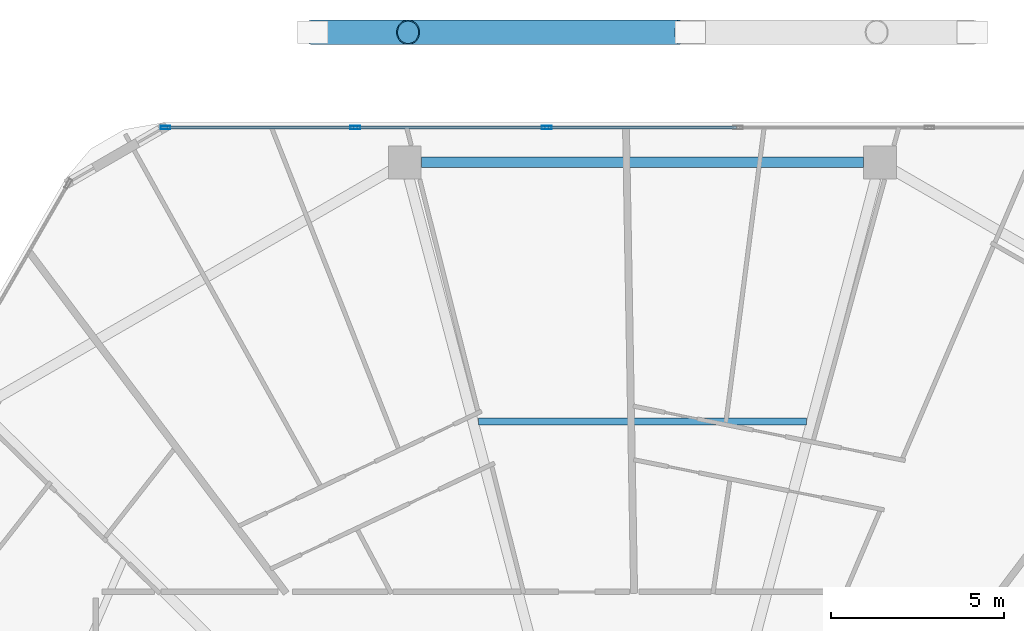
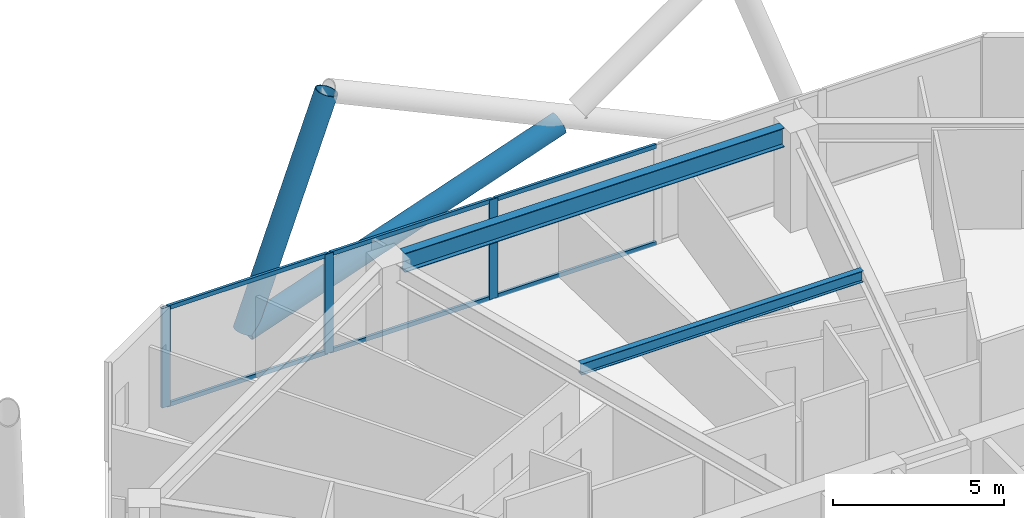
# One storey, part 14 of 29: 11 members, 2 beams, 1 element without a shape of its own.
"""IFC4 building model written with IfcOpenShell, lengths in metres."""

from ifc_helpers import new_model, si_unit, direction, frame, origin, origin_2d, place, context, subcontext, project, spatial, hollow_rectangle, hollow_circle, i_section, extrude, material, material_profile, profile_set, type_object, element, aggregate, save


model = new_model("IFC4")

# Units and contexts
model_context = context("Model", 3, precision=1e-05, world=origin(), true_north=direction((0.0, 1.0)))
body_context = subcontext(model_context, "Body", "Model", "MODEL_VIEW")
ifc_project = project(units=[si_unit("LENGTHUNIT", "METRE"), si_unit("AREAUNIT", "SQUARE_METRE"), si_unit("VOLUMEUNIT", "CUBIC_METRE"), si_unit("PLANEANGLEUNIT", "RADIAN"), si_unit("MASSUNIT", "GRAM", prefix="KILO")], contexts=[model_context])

# Site, building, storey
site_placement = place(None, origin())
site = spatial("IfcSite", under=ifc_project, at=site_placement, CompositionType="ELEMENT")
building_placement = place(site_placement, origin())
building = spatial("IfcBuilding", under=site, at=building_placement, Name="Zuhravey Tower", CompositionType="ELEMENT")
storey_placement = place(building_placement, frame((0.0, 0.0, 192.199951171875)))
storey = spatial("IfcBuildingStorey", under=building, at=storey_placement, Name="L48", CompositionType="ELEMENT", Elevation=192.199951171875)

# Curtain wall, members
ifc_material_1 = material(Name="Thermally broken anodised aluminium", Category="aluminium")
curtain_wall_type = type_object("IfcCurtainWallType", Name="Zone 1-2 Residential Curtain Wall CW3", PredefinedType="NOTDEFINED", material=ifc_material_1)
curtain_wall_placement = place(storey_placement, origin())
curtain_wall = element("IfcCurtainWall", 1, at=curtain_wall_placement, inside=storey, type_object=curtain_wall_type, Name="L48 CW3 CW-L48-F2-1", PredefinedType="NOTDEFINED")
ifc_material_2 = material(Name="Anodised aluminium", Category="aluminium")
ifc_material_profile_1 = material_profile(ifc_material_2, hollow_rectangle(XDim=0.090087890625, YDim=0.284912109375, WallThickness=0.0048828125, at=origin_2d()), Name="ALU-RHS-90x285x5")
ifc_profile_set_1 = profile_set([ifc_material_profile_1], Name="Anodised aluminium")
member_type_1 = type_object("IfcMemberType", Name="Curtain-Wall Mullion 90x180", PredefinedType="MULLION", material=ifc_profile_set_1)
member_1_placement = place(storey_placement, frame((22.183837890625, 59.18310546875, 0.0), z_axis=(0.0, 0.0, 1.0), x_axis=(0.0, 1.0, 0.0)))
member_1 = element("IfcMember", 2, at=member_1_placement, type_object=member_type_1, Name="CW3 mullion 1", PredefinedType="MULLION", context=body_context, shape_type="SweptSolid", body=[
    extrude(hollow_rectangle(XDim=0.090087890625, YDim=0.284912109375, WallThickness=0.0048828125, at=origin_2d()), origin(), (0.0, 0.0, 1.0), 3.550048828125),
])
member_2_placement = place(storey_placement, frame((27.683349609375, 59.18310546875, 0.0), z_axis=(0.0, 0.0, 1.0), x_axis=(0.0, 1.0, 0.0)))
member_2 = element("IfcMember", 3, at=member_2_placement, type_object=member_type_1, Name="CW3 mullion 2", PredefinedType="MULLION", context=body_context, shape_type="SweptSolid", body=[
    extrude(hollow_rectangle(XDim=0.090087890625, YDim=0.284912109375, WallThickness=0.0048828125, at=origin_2d()), origin(), (0.0, 0.0, 1.0), 3.550048828125),
])
member_3_placement = place(storey_placement, frame((33.227783203125, 59.18310546875, 0.0), z_axis=(0.0, 0.0, 1.0), x_axis=(0.0, 1.0, 0.0)))
member_3 = element("IfcMember", 4, at=member_3_placement, type_object=member_type_1, Name="CW3 mullion 3", PredefinedType="MULLION", context=body_context, shape_type="SweptSolid", body=[
    extrude(hollow_rectangle(XDim=0.090087890625, YDim=0.284912109375, WallThickness=0.0048828125, at=origin_2d()), origin(), (0.0, 0.0, 1.0), 3.550048828125),
])
ifc_material_profile_2 = material_profile(ifc_material_2, hollow_rectangle(XDim=0.090087890625, YDim=0.14990234375, WallThickness=0.0048828125, at=origin_2d()), Name="ALU-RHS-90x150x5")
ifc_profile_set_2 = profile_set([ifc_material_profile_2], Name="Anodised aluminium")
member_type_2 = type_object("IfcMemberType", Name="Curtain-Wall Transom 90x150", PredefinedType="USERDEFINED", material=ifc_profile_set_2)
member_4_placement = place(storey_placement, frame((22.22900390625, 59.18310546875, 0.045166015625), z_axis=(1.0, 0.0, 0.0), x_axis=(0.0, 1.0, 0.0)))
member_4 = element("IfcMember", 5, at=member_4_placement, type_object=member_type_2, Name="CW3 transom 1.1", ObjectType="TRANSOM", PredefinedType="USERDEFINED", context=body_context, shape_type="SweptSolid", body=[
    extrude(hollow_rectangle(XDim=0.090087890625, YDim=0.14990234375, WallThickness=0.0048828125, at=origin_2d()), origin(), (0.0, 0.0, 1.0), 5.409423828125),
])
member_5_placement = place(storey_placement, frame((22.22900390625, 59.18310546875, 3.505126953125), z_axis=(1.0, 0.0, 0.0), x_axis=(0.0, 1.0, 0.0)))
member_5 = element("IfcMember", 6, at=member_5_placement, type_object=member_type_2, Name="CW3 transom 1.2", ObjectType="TRANSOM", PredefinedType="USERDEFINED", context=body_context, shape_type="SweptSolid", body=[
    extrude(hollow_rectangle(XDim=0.090087890625, YDim=0.14990234375, WallThickness=0.0048828125, at=origin_2d()), origin(), (0.0, 0.0, 1.0), 5.409423828125),
])
member_6_placement = place(storey_placement, frame((27.728271484375, 59.18310546875, 0.045166015625), z_axis=(1.0, 0.0, 0.0), x_axis=(0.0, 1.0, 0.0)))
member_6 = element("IfcMember", 7, at=member_6_placement, type_object=member_type_2, Name="CW3 transom 2.1", ObjectType="TRANSOM", PredefinedType="USERDEFINED", context=body_context, shape_type="SweptSolid", body=[
    extrude(hollow_rectangle(XDim=0.090087890625, YDim=0.14990234375, WallThickness=0.0048828125, at=origin_2d()), origin(), (0.0, 0.0, 1.0), 5.45458984375),
])
member_7_placement = place(storey_placement, frame((27.728271484375, 59.18310546875, 3.505126953125), z_axis=(1.0, 0.0, 0.0), x_axis=(0.0, 1.0, 0.0)))
member_7 = element("IfcMember", 8, at=member_7_placement, type_object=member_type_2, Name="CW3 transom 2.2", ObjectType="TRANSOM", PredefinedType="USERDEFINED", context=body_context, shape_type="SweptSolid", body=[
    extrude(hollow_rectangle(XDim=0.090087890625, YDim=0.14990234375, WallThickness=0.0048828125, at=origin_2d()), origin(), (0.0, 0.0, 1.0), 5.45458984375),
])
member_8_placement = place(storey_placement, frame((33.272705078125, 59.18310546875, 0.045166015625), z_axis=(1.0, 0.0, 0.0), x_axis=(0.0, 1.0, 0.0)))
member_8 = element("IfcMember", 9, at=member_8_placement, type_object=member_type_2, Name="CW3 transom 3.1", ObjectType="TRANSOM", PredefinedType="USERDEFINED", context=body_context, shape_type="SweptSolid", body=[
    extrude(hollow_rectangle(XDim=0.090087890625, YDim=0.14990234375, WallThickness=0.0048828125, at=origin_2d()), origin(), (0.0, 0.0, 1.0), 5.45458984375),
])
member_9_placement = place(storey_placement, frame((33.272705078125, 59.18310546875, 3.505126953125), z_axis=(1.0, 0.0, 0.0), x_axis=(0.0, 1.0, 0.0)))
member_9 = element("IfcMember", 10, at=member_9_placement, type_object=member_type_2, Name="CW3 transom 3.2", ObjectType="TRANSOM", PredefinedType="USERDEFINED", context=body_context, shape_type="SweptSolid", body=[
    extrude(hollow_rectangle(XDim=0.090087890625, YDim=0.14990234375, WallThickness=0.0048828125, at=origin_2d()), origin(), (0.0, 0.0, 1.0), 5.45458984375),
])
aggregate(curtain_wall, [member_1, member_2, member_3, member_4, member_5, member_6, member_7, member_8, member_9])

# Members
ifc_material_3 = material(Name="Steel SM460", Category="steel")
ifc_material_profile_3 = material_profile(ifc_material_3, hollow_circle(Radius=0.355712890625, WallThickness=0.031982421875, at=origin_2d()), Name="CHS-711.2x32")
ifc_profile_set_3 = profile_set([ifc_material_profile_3], Name="Steel SM460")
member_type_3 = type_object("IfcMemberType", Name="Exoskeleton Zone 2 Diagrid CHS711x32", PredefinedType="BRACE", material=ifc_profile_set_3)
member_10_placement = place(storey_placement, frame((26.452392578125, 61.943115234375, -0.44384765625), z_axis=(0.342868163771, 0.0, 0.939383533107), x_axis=(0.0, 1.0, 0.0)))
element("IfcMember", 11, at=member_10_placement, inside=storey, type_object=member_type_3, Name="L48 Face 2 Diagrid Brace 4", PredefinedType="BRACE", context=body_context, shape_type="SweptSolid", body=[
    extrude(hollow_circle(Radius=0.355712890625, WallThickness=0.031982421875, at=origin_2d()), origin(), (0.0, 0.0, 1.0), 8.047607421875),
])
member_11_placement = place(storey_placement, frame((26.48974609375, 61.943115234375, -0.448486328125), z_axis=(0.944653568891, 0.0, 0.328069557841), x_axis=(0.0, 1.0, 0.0)))
element("IfcMember", 12, at=member_11_placement, inside=storey, type_object=member_type_3, Name="L48 Face 2 Split Diagrid Brace 3A", PredefinedType="BRACE", context=body_context, shape_type="SweptSolid", body=[
    extrude(hollow_circle(Radius=0.355712890625, WallThickness=0.031982421875, at=origin_2d()), origin(), (0.0, 0.0, 1.0), 11.190185546875),
])

# Beams
ifc_material_4 = material(Name="Steel SM355", Category="steel")
ifc_material_profile_4 = material_profile(ifc_material_4, i_section(OverallWidth=0.300048828125, OverallDepth=0.679931640625, WebThickness=0.012939453125, FlangeThickness=0.02197265625, at=origin_2d()), Name="H-680x300x13x22")
ifc_profile_set_4 = profile_set([ifc_material_profile_4], Name="Steel SM355")
beam_type_1 = type_object("IfcBeamType", Name="Perimeter Ring Beam H680x300", PredefinedType="BEAM", material=ifc_profile_set_4)
beam_1_placement = place(storey_placement, frame((42.404052734375, 58.173095703125, 3.2099609375), z_axis=(-1.0, 0.0, 0.0), x_axis=(0.0, -1.0, 0.0)))
element("IfcBeam", 13, at=beam_1_placement, inside=storey, type_object=beam_type_1, Name="L48 PB2 BM-L48-PB-03", PredefinedType="BEAM", context=body_context, shape_type="SweptSolid", body=[
    extrude(i_section(OverallWidth=0.300048828125, OverallDepth=0.679931640625, WebThickness=0.012939453125, FlangeThickness=0.02197265625, at=origin_2d()), origin(), (0.0, 0.0, 1.0), 12.80810546875),
])
ifc_material_profile_5 = material_profile(ifc_material_4, i_section(OverallWidth=0.199951171875, OverallDepth=0.39990234375, WebThickness=0.008056640625, FlangeThickness=0.012939453125, at=origin_2d()), Name="H-400x200x8x13")
ifc_profile_set_5 = profile_set([ifc_material_profile_5], Name="Steel SM355")
beam_type_2 = type_object("IfcBeamType", Name="Secondary Floor Joist H400x200", PredefinedType="JOIST", material=ifc_profile_set_5)
beam_2_placement = place(storey_placement, frame((40.754150390625, 50.665771484375, 3.35009765625), z_axis=(-1.0, 0.0, 0.0), x_axis=(0.0, -1.0, 0.0)))
element("IfcBeam", 14, at=beam_2_placement, inside=storey, type_object=beam_type_2, Name="L48 SJ2 BM-L48-SJ-03-1", PredefinedType="JOIST", context=body_context, shape_type="SweptSolid", body=[
    extrude(i_section(OverallWidth=0.199951171875, OverallDepth=0.39990234375, WebThickness=0.008056640625, FlangeThickness=0.012939453125, at=origin_2d()), origin(), (0.0, 0.0, 1.0), 9.50830078125),
])

save(model, "model.ifc")
